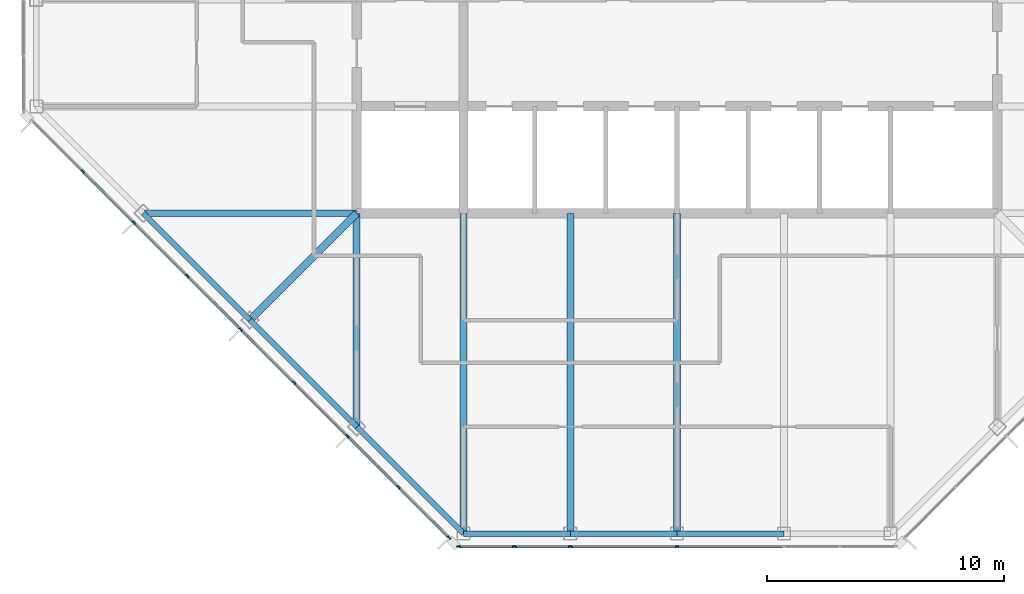
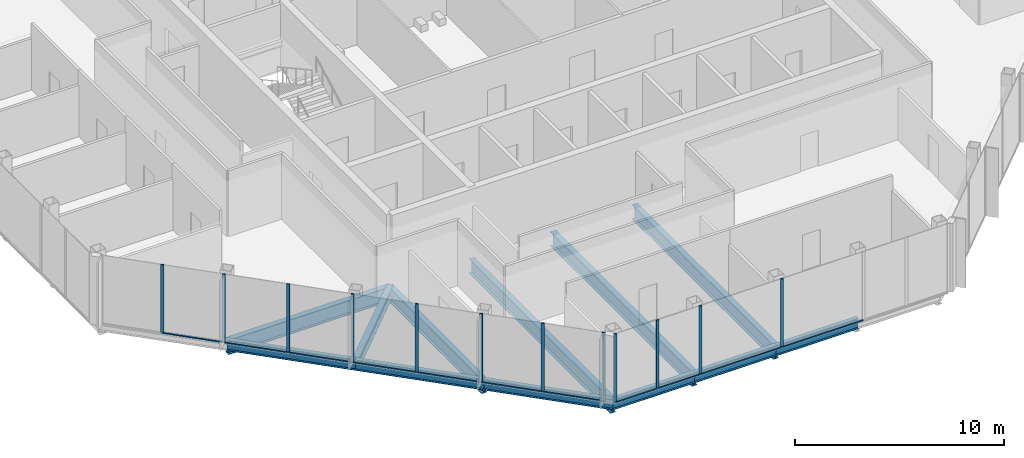
# One storey, part 2 of 14: 23 members, 12 beams, 2 elements without a shape of their own.
"""IFC4 building model written with IfcOpenShell, lengths in metres."""

from ifc_helpers import new_model, si_unit, direction, frame, origin, origin_2d, place, context, subcontext, project, spatial, rectangle, i_section, extrude, material, material_profile, profile_set, type_object, element, aggregate, save


model = new_model("IFC4")

# Units and contexts
model_context = context("Model", 3, precision=1e-05, world=origin(), true_north=direction((0.0, 1.0)))
body_context = subcontext(model_context, "Body", "Model", "MODEL_VIEW")
ifc_project = project(units=[si_unit("LENGTHUNIT", "METRE"), si_unit("AREAUNIT", "SQUARE_METRE"), si_unit("VOLUMEUNIT", "CUBIC_METRE"), si_unit("PLANEANGLEUNIT", "RADIAN"), si_unit("MASSUNIT", "GRAM", prefix="KILO")], contexts=[model_context])

# Site, building, storey
site_placement = place(None, origin())
site = spatial("IfcSite", under=ifc_project, at=site_placement, CompositionType="ELEMENT")
building_placement = place(site_placement, origin())
building = spatial("IfcBuilding", under=site, at=building_placement, Name="Corais Broadcast Tower", CompositionType="ELEMENT")
storey_placement = place(building_placement, frame((0.0, 0.0, 294.60009765625)))
storey = spatial("IfcBuildingStorey", under=building, at=storey_placement, Name="L69", CompositionType="ELEMENT", Elevation=294.60009765625)

# Beams
ifc_material_1 = material(Name="Steel ASTM A572 Grade 50", Category="steel")
ifc_material_profile_1 = material_profile(ifc_material_1, i_section(OverallWidth=0.323974609375, OverallDepth=0.611083984375, WebThickness=0.0126953125, FlangeThickness=0.01904296875, at=origin_2d()), Name="W610x155")
ifc_profile_set_1 = profile_set([ifc_material_profile_1], Name="Steel ASTM A572 Grade 50")
beam_type_1 = type_object("IfcBeamType", Name="Corner diagonal W610x155", PredefinedType="BEAM", material=ifc_profile_set_1)
beam_1_placement = place(storey_placement, frame((9.0, 9.0, -0.465576171875), z_axis=(0.707106781187, 0.707106781187, 0.0), x_axis=(-0.707106781187, 0.707106781187, 0.0)))
element("IfcBeam", 1, at=beam_1_placement, inside=storey, type_object=beam_type_1, Name="B6 C/5 to D/6", PredefinedType="BEAM", context=body_context, shape_type="SweptSolid", body=[
    extrude(i_section(OverallWidth=0.323974609375, OverallDepth=0.611083984375, WebThickness=0.0126953125, FlangeThickness=0.01904296875, at=origin_2d()), origin(), (0.0, 0.0, 1.0), 6.364013671875),
])
ifc_material_2 = material(Name="Steel ASTM A572 Grade 50", Category="steel")
ifc_material_profile_2 = material_profile(ifc_material_2, i_section(OverallWidth=0.2939453125, OverallDepth=0.85107421875, WebThickness=0.01611328125, FlangeThickness=0.02685546875, at=origin_2d()), Name="W840x226")
ifc_profile_set_2 = profile_set([ifc_material_profile_2], Name="Steel ASTM A572 Grade 50")
beam_type_2 = type_object("IfcBeamType", Name="Floor beam W840x226", PredefinedType="BEAM", material=ifc_profile_set_2)
beam_2_placement = place(storey_placement, frame((13.5, 4.5, -0.585693359375), z_axis=(0.0, 1.0, 0.0), x_axis=(-1.0, 0.0, 0.0)))
element("IfcBeam", 2, at=beam_2_placement, inside=storey, type_object=beam_type_2, Name="B1 B/6 to D/6", PredefinedType="BEAM", context=body_context, shape_type="SweptSolid", body=[
    extrude(i_section(OverallWidth=0.2939453125, OverallDepth=0.85107421875, WebThickness=0.01611328125, FlangeThickness=0.02685546875, at=origin_2d()), origin(), (0.0, 0.0, 1.0), 9.0),
])
for number, where, z_axis, x_axis, name in (
    (3, (18.0, 0.0, -0.585693359375), (0.0, 1.0, 0.0), (-1.0, 0.0, 0.0), "B1 A/7 to D/7"),
    (4, (22.5, 0.0, -0.585693359375), (0.0, 1.0, 0.0), (-1.0, 0.0, 0.0), "B1 A/8 to D/8"),
    (5, (27.0, 0.0, -0.585693359375), (0.0, 1.0, 0.0), (-1.0, 0.0, 0.0), "B1 A/9 to D/9"),
):
    element("IfcBeam", number, at=place(storey_placement, frame(where, z_axis=z_axis, x_axis=x_axis)), inside=storey, type_object=beam_type_2, Name=name, PredefinedType="BEAM", context=body_context, shape_type="SweptSolid", body=[
        extrude(i_section(OverallWidth=0.2939453125, OverallDepth=0.85107421875, WebThickness=0.01611328125, FlangeThickness=0.02685546875, at=origin_2d()), origin(), (0.0, 0.0, 1.0), 13.5),
    ])
beam_3_placement = place(storey_placement, frame((4.5, 13.5, -0.585693359375), z_axis=(1.0, 0.0, 0.0), x_axis=(0.0, 1.0, 0.0)))
element("IfcBeam", 6, at=beam_3_placement, inside=storey, type_object=beam_type_2, Name="B1 D/4 to D/6", PredefinedType="BEAM", context=body_context, shape_type="SweptSolid", body=[
    extrude(i_section(OverallWidth=0.2939453125, OverallDepth=0.85107421875, WebThickness=0.01611328125, FlangeThickness=0.02685546875, at=origin_2d()), origin(), (0.0, 0.0, 1.0), 9.0),
])

# Curtain wall, members
ifc_material_3 = material(Name="Aluminium and glass", Category="aluminium")
curtain_wall_type = type_object("IfcCurtainWallType", Name="Unitised fritted curtain wall CW3", PredefinedType="NOTDEFINED", material=ifc_material_3)
curtain_wall_1_placement = place(storey_placement, origin())
curtain_wall_1 = element("IfcCurtainWall", 7, at=curtain_wall_1_placement, inside=storey, type_object=curtain_wall_type, Name="CW3 curtain wall L69 1", PredefinedType="NOTDEFINED")
ifc_material_4 = material(Name="Aluminium 6063-T6", Category="aluminium")
ifc_material_profile_3 = material_profile(ifc_material_4, rectangle(XDim=0.06494140625, YDim=0.159912109375, at=origin_2d()), Name="Mullion CW3 65x160")
ifc_profile_set_3 = profile_set([ifc_material_profile_3], Name="Aluminium 6063-T6")
member_type_1 = type_object("IfcMemberType", Name="Mullion CW3 65x160", PredefinedType="MULLION", material=ifc_profile_set_3)
member_1_placement = place(storey_placement, frame((17.3955078125, -0.17333984375, 0.0), z_axis=(0.0, 0.0, 1.0), x_axis=(-0.707106781187, -0.707106781187, 0.0)))
member_1 = element("IfcMember", 8, at=member_1_placement, type_object=member_type_1, Name="CW3 mullion 1", PredefinedType="MULLION", context=body_context, shape_type="SweptSolid", body=[
    extrude(rectangle(XDim=0.06494140625, YDim=0.159912109375, at=origin_2d()), origin(), (0.0, 0.0, 1.0), 4.0),
])
member_2_placement = place(storey_placement, frame((15.264892578125, 1.957275390625, 0.0), z_axis=(0.0, 0.0, 1.0), x_axis=(-0.707106781187, -0.707106781187, 0.0)))
member_2 = element("IfcMember", 9, at=member_2_placement, type_object=member_type_1, Name="CW3 mullion 2", PredefinedType="MULLION", context=body_context, shape_type="SweptSolid", body=[
    extrude(rectangle(XDim=0.06494140625, YDim=0.159912109375, at=origin_2d()), origin(), (0.0, 0.0, 1.0), 4.0),
])
member_3_placement = place(storey_placement, frame((13.111083984375, 4.111083984375, 0.0), z_axis=(0.0, 0.0, 1.0), x_axis=(-0.707106781187, -0.707106781187, 0.0)))
member_3 = element("IfcMember", 10, at=member_3_placement, type_object=member_type_1, Name="CW3 mullion 3", PredefinedType="MULLION", context=body_context, shape_type="SweptSolid", body=[
    extrude(rectangle(XDim=0.06494140625, YDim=0.159912109375, at=origin_2d()), origin(), (0.0, 0.0, 1.0), 4.0),
])
member_4_placement = place(storey_placement, frame((10.861083984375, 6.361083984375, 0.0), z_axis=(0.0, 0.0, 1.0), x_axis=(-0.707106781187, -0.707106781187, 0.0)))
member_4 = element("IfcMember", 11, at=member_4_placement, type_object=member_type_1, Name="CW3 mullion 4", PredefinedType="MULLION", context=body_context, shape_type="SweptSolid", body=[
    extrude(rectangle(XDim=0.06494140625, YDim=0.159912109375, at=origin_2d()), origin(), (0.0, 0.0, 1.0), 4.0),
])
member_5_placement = place(storey_placement, frame((8.611083984375, 8.611083984375, 0.0), z_axis=(0.0, 0.0, 1.0), x_axis=(-0.707106781187, -0.707106781187, 0.0)))
member_5 = element("IfcMember", 12, at=member_5_placement, type_object=member_type_1, Name="CW3 mullion 5", PredefinedType="MULLION", context=body_context, shape_type="SweptSolid", body=[
    extrude(rectangle(XDim=0.06494140625, YDim=0.159912109375, at=origin_2d()), origin(), (0.0, 0.0, 1.0), 4.0),
])
member_6_placement = place(storey_placement, frame((6.361083984375, 10.861083984375, 0.0), z_axis=(0.0, 0.0, 1.0), x_axis=(-0.707106781187, -0.707106781187, 0.0)))
member_6 = element("IfcMember", 13, at=member_6_placement, type_object=member_type_1, Name="CW3 mullion 6", PredefinedType="MULLION", context=body_context, shape_type="SweptSolid", body=[
    extrude(rectangle(XDim=0.06494140625, YDim=0.159912109375, at=origin_2d()), origin(), (0.0, 0.0, 1.0), 4.0),
])
member_7_placement = place(storey_placement, frame((4.111083984375, 13.111083984375, 0.0), z_axis=(0.0, 0.0, 1.0), x_axis=(-0.707106781187, -0.707106781187, 0.0)))
member_7 = element("IfcMember", 14, at=member_7_placement, type_object=member_type_1, Name="CW3 mullion 7", PredefinedType="MULLION", context=body_context, shape_type="SweptSolid", body=[
    extrude(rectangle(XDim=0.06494140625, YDim=0.159912109375, at=origin_2d()), origin(), (0.0, 0.0, 1.0), 4.0),
])
member_8_placement = place(storey_placement, frame((1.957275390625, 15.264892578125, 0.0), z_axis=(0.0, 0.0, 1.0), x_axis=(-0.707106781187, -0.707106781187, 0.0)))
member_8 = element("IfcMember", 15, at=member_8_placement, type_object=member_type_1, Name="CW3 mullion 8", PredefinedType="MULLION", context=body_context, shape_type="SweptSolid", body=[
    extrude(rectangle(XDim=0.06494140625, YDim=0.159912109375, at=origin_2d()), origin(), (0.0, 0.0, 1.0), 4.0),
])

curtain_wall_2_placement = place(storey_placement, origin())
curtain_wall_2 = element("IfcCurtainWall", 16, at=curtain_wall_2_placement, inside=storey, type_object=curtain_wall_type, Name="CW3 curtain wall L69 8", PredefinedType="NOTDEFINED")
member_9_placement = place(storey_placement, frame((27.0, -0.550048828125, 0.0), z_axis=(0.0, 0.0, 1.0), x_axis=(0.0, -1.0, 0.0)))
member_9 = element("IfcMember", 17, at=member_9_placement, type_object=member_type_1, Name="CW3 mullion 4", PredefinedType="MULLION", context=body_context, shape_type="SweptSolid", body=[
    extrude(rectangle(XDim=0.06494140625, YDim=0.159912109375, at=origin_2d()), origin(), (0.0, 0.0, 1.0), 4.0),
])
member_10_placement = place(storey_placement, frame((22.5, -0.550048828125, 0.0), z_axis=(0.0, 0.0, 1.0), x_axis=(0.0, -1.0, 0.0)))
member_10 = element("IfcMember", 18, at=member_10_placement, type_object=member_type_1, Name="CW3 mullion 5", PredefinedType="MULLION", context=body_context, shape_type="SweptSolid", body=[
    extrude(rectangle(XDim=0.06494140625, YDim=0.159912109375, at=origin_2d()), origin(), (0.0, 0.0, 1.0), 4.0),
])
member_11_placement = place(storey_placement, frame((20.135986328125, -0.550048828125, 0.0), z_axis=(0.0, 0.0, 1.0), x_axis=(0.0, -1.0, 0.0)))
member_11 = element("IfcMember", 19, at=member_11_placement, type_object=member_type_1, Name="CW3 mullion 6", PredefinedType="MULLION", context=body_context, shape_type="SweptSolid", body=[
    extrude(rectangle(XDim=0.06494140625, YDim=0.159912109375, at=origin_2d()), origin(), (0.0, 0.0, 1.0), 4.0),
])
member_12_placement = place(storey_placement, frame((17.8046875, -0.550048828125, 0.0), z_axis=(0.0, 0.0, 1.0), x_axis=(0.0, -1.0, 0.0)))
member_12 = element("IfcMember", 20, at=member_12_placement, type_object=member_type_1, Name="CW3 mullion 7", PredefinedType="MULLION", context=body_context, shape_type="SweptSolid", body=[
    extrude(rectangle(XDim=0.06494140625, YDim=0.159912109375, at=origin_2d()), origin(), (0.0, 0.0, 1.0), 4.0),
])

# Beams
ifc_material_5 = material(Name="Steel ASTM A572 Grade 50", Category="steel")
ifc_material_profile_4 = material_profile(ifc_material_5, i_section(OverallWidth=0.22998046875, OverallDepth=0.616943359375, WebThickness=0.01318359375, FlangeThickness=0.022216796875, at=origin_2d()), Name="W610x140")
ifc_profile_set_4 = profile_set([ifc_material_profile_4], Name="Steel ASTM A572 Grade 50")
beam_type_3 = type_object("IfcBeamType", Name="Spandrel W610x140", PredefinedType="BEAM", material=ifc_profile_set_4)
beam_4_placement = place(storey_placement, frame((13.5, 4.5, -0.468505859375), z_axis=(0.707106781187, -0.707106781187, 0.0), x_axis=(0.707106781187, 0.707106781187, 0.0)))
element("IfcBeam", 21, at=beam_4_placement, inside=storey, type_object=beam_type_3, Name="SB3 B/6 to A/7", PredefinedType="BEAM", context=body_context, shape_type="SweptSolid", body=[
    extrude(i_section(OverallWidth=0.22998046875, OverallDepth=0.616943359375, WebThickness=0.01318359375, FlangeThickness=0.022216796875, at=origin_2d()), origin(), (0.0, 0.0, 1.0), 6.364013671875),
])
for number, where, z_axis, x_axis, name in (
    (22, (18.0, 0.0, -0.468505859375), (1.0, 0.0, 0.0), (0.0, 1.0, 0.0), "SB3 A/7 to A/8"),
    (23, (22.5, 0.0, -0.468505859375), (1.0, 0.0, 0.0), (0.0, 1.0, 0.0), "SB3 A/8 to A/9"),
    (24, (27.0, 0.0, -0.468505859375), (1.0, 0.0, 0.0), (0.0, 1.0, 0.0), "SB3 A/9 to A/10"),
):
    element("IfcBeam", number, at=place(storey_placement, frame(where, z_axis=z_axis, x_axis=x_axis)), inside=storey, type_object=beam_type_3, Name=name, PredefinedType="BEAM", context=body_context, shape_type="SweptSolid", body=[
        extrude(i_section(OverallWidth=0.22998046875, OverallDepth=0.616943359375, WebThickness=0.01318359375, FlangeThickness=0.022216796875, at=origin_2d()), origin(), (0.0, 0.0, 1.0), 4.5),
    ])
for number, where, z_axis, x_axis, name in (
    (25, (4.5, 13.5, -0.468505859375), (0.707106781187, -0.707106781187, 0.0), (0.707106781187, 0.707106781187, 0.0), "SB3 D/4 to C/5"),
    (26, (9.0, 9.0, -0.468505859375), (0.707106781187, -0.707106781187, 0.0), (0.707106781187, 0.707106781187, 0.0), "SB3 C/5 to B/6"),
):
    element("IfcBeam", number, at=place(storey_placement, frame(where, z_axis=z_axis, x_axis=x_axis)), inside=storey, type_object=beam_type_3, Name=name, PredefinedType="BEAM", context=body_context, shape_type="SweptSolid", body=[
        extrude(i_section(OverallWidth=0.22998046875, OverallDepth=0.616943359375, WebThickness=0.01318359375, FlangeThickness=0.022216796875, at=origin_2d()), origin(), (0.0, 0.0, 1.0), 6.364013671875),
    ])

# Member
ifc_material_6 = material(Name="Aluminium 6063-T6", Category="aluminium")
ifc_material_profile_5 = material_profile(ifc_material_6, rectangle(XDim=0.1201171875, YDim=0.06494140625, at=origin_2d()), Name="Transom CW3 65x120")
ifc_profile_set_5 = profile_set([ifc_material_profile_5], Name="Aluminium 6063-T6")
member_type_2 = type_object("IfcMemberType", Name="Transom CW3 65x120", PredefinedType="USERDEFINED", material=ifc_profile_set_5)
member_13_placement = place(storey_placement, frame((17.37255859375, -0.150390625, 0.032470703125), z_axis=(-0.707106781187, 0.707106781187, 0.0), x_axis=(-0.707106781187, -0.707106781187, 0.0)))
member_13 = element("IfcMember", 27, at=member_13_placement, type_object=member_type_2, Name="CW3 transom 1.1", ObjectType="TRANSOM", PredefinedType="USERDEFINED", context=body_context, shape_type="SweptSolid", body=[
    extrude(rectangle(XDim=0.1201171875, YDim=0.06494140625, at=origin_2d()), origin(), (0.0, 0.0, 1.0), 2.9482421875),
])

member_14_placement = place(storey_placement, frame((15.241943359375, 1.980224609375, 0.032470703125), z_axis=(-0.707106781187, 0.707106781187, 0.0), x_axis=(-0.707106781187, -0.707106781187, 0.0)))
member_14 = element("IfcMember", 28, at=member_14_placement, type_object=member_type_2, Name="CW3 transom 2.1", ObjectType="TRANSOM", PredefinedType="USERDEFINED", context=body_context, shape_type="SweptSolid", body=[
    extrude(rectangle(XDim=0.1201171875, YDim=0.06494140625, at=origin_2d()), origin(), (0.0, 0.0, 1.0), 2.98095703125),
])

member_15_placement = place(storey_placement, frame((13.088134765625, 4.134033203125, 0.032470703125), z_axis=(-0.707106781187, 0.707106781187, 0.0), x_axis=(-0.707106781187, -0.707106781187, 0.0)))
member_15 = element("IfcMember", 29, at=member_15_placement, type_object=member_type_2, Name="CW3 transom 3.1", ObjectType="TRANSOM", PredefinedType="USERDEFINED", context=body_context, shape_type="SweptSolid", body=[
    extrude(rectangle(XDim=0.1201171875, YDim=0.06494140625, at=origin_2d()), origin(), (0.0, 0.0, 1.0), 3.1171875),
])

member_16_placement = place(storey_placement, frame((10.838134765625, 6.384033203125, 0.032470703125), z_axis=(-0.707106781187, 0.707106781187, 0.0), x_axis=(-0.707106781187, -0.707106781187, 0.0)))
member_16 = element("IfcMember", 30, at=member_16_placement, type_object=member_type_2, Name="CW3 transom 4.1", ObjectType="TRANSOM", PredefinedType="USERDEFINED", context=body_context, shape_type="SweptSolid", body=[
    extrude(rectangle(XDim=0.1201171875, YDim=0.06494140625, at=origin_2d()), origin(), (0.0, 0.0, 1.0), 3.1171875),
])

member_17_placement = place(storey_placement, frame((8.588134765625, 8.634033203125, 0.032470703125), z_axis=(-0.707106781187, 0.707106781187, 0.0), x_axis=(-0.707106781187, -0.707106781187, 0.0)))
member_17 = element("IfcMember", 31, at=member_17_placement, type_object=member_type_2, Name="CW3 transom 5.1", ObjectType="TRANSOM", PredefinedType="USERDEFINED", context=body_context, shape_type="SweptSolid", body=[
    extrude(rectangle(XDim=0.1201171875, YDim=0.06494140625, at=origin_2d()), origin(), (0.0, 0.0, 1.0), 3.1171875),
])

member_18_placement = place(storey_placement, frame((6.338134765625, 10.884033203125, 0.032470703125), z_axis=(-0.707106781187, 0.707106781187, 0.0), x_axis=(-0.707106781187, -0.707106781187, 0.0)))
member_18 = element("IfcMember", 32, at=member_18_placement, type_object=member_type_2, Name="CW3 transom 6.1", ObjectType="TRANSOM", PredefinedType="USERDEFINED", context=body_context, shape_type="SweptSolid", body=[
    extrude(rectangle(XDim=0.1201171875, YDim=0.06494140625, at=origin_2d()), origin(), (0.0, 0.0, 1.0), 3.1171875),
])

member_19_placement = place(storey_placement, frame((4.088134765625, 13.134033203125, 0.032470703125), z_axis=(-0.707065828661, 0.70714773134, 0.0), x_axis=(-0.70714773134, -0.707065828661, 0.0)))
member_19 = element("IfcMember", 33, at=member_19_placement, type_object=member_type_2, Name="CW3 transom 7.1", ObjectType="TRANSOM", PredefinedType="USERDEFINED", context=body_context, shape_type="SweptSolid", body=[
    extrude(rectangle(XDim=0.1201171875, YDim=0.06494140625, at=origin_2d()), origin(), (0.0, 0.0, 1.0), 2.98095703125),
])

aggregate(curtain_wall_1, [member_1, member_2, member_3, member_4, member_5, member_6, member_7, member_8, member_13, member_14, member_15, member_16, member_17, member_18, member_19])

member_20_placement = place(storey_placement, frame((31.467529296875, -0.550048828125, 0.032470703125), z_axis=(-1.0, 0.0, 0.0), x_axis=(0.0, -1.0, 0.0)))
member_20 = element("IfcMember", 34, at=member_20_placement, type_object=member_type_2, Name="CW3 transom 3.1", ObjectType="TRANSOM", PredefinedType="USERDEFINED", context=body_context, shape_type="SweptSolid", body=[
    extrude(rectangle(XDim=0.1201171875, YDim=0.06494140625, at=origin_2d()), origin(), (0.0, 0.0, 1.0), 4.43505859375),
])

member_21_placement = place(storey_placement, frame((26.967529296875, -0.550048828125, 0.032470703125), z_axis=(-1.0, 0.0, 0.0), x_axis=(0.0, -1.0, 0.0)))
member_21 = element("IfcMember", 35, at=member_21_placement, type_object=member_type_2, Name="CW3 transom 4.1", ObjectType="TRANSOM", PredefinedType="USERDEFINED", context=body_context, shape_type="SweptSolid", body=[
    extrude(rectangle(XDim=0.1201171875, YDim=0.06494140625, at=origin_2d()), origin(), (0.0, 0.0, 1.0), 4.43505859375),
])

member_22_placement = place(storey_placement, frame((22.467529296875, -0.550048828125, 0.032470703125), z_axis=(-1.0, 0.0, 0.0), x_axis=(0.0, -1.0, 0.0)))
member_22 = element("IfcMember", 36, at=member_22_placement, type_object=member_type_2, Name="CW3 transom 5.1", ObjectType="TRANSOM", PredefinedType="USERDEFINED", context=body_context, shape_type="SweptSolid", body=[
    extrude(rectangle(XDim=0.1201171875, YDim=0.06494140625, at=origin_2d()), origin(), (0.0, 0.0, 1.0), 2.298828125),
])

member_23_placement = place(storey_placement, frame((20.103515625, -0.550048828125, 0.032470703125), z_axis=(-1.0, 0.0, 0.0), x_axis=(0.0, -1.0, 0.0)))
member_23 = element("IfcMember", 37, at=member_23_placement, type_object=member_type_2, Name="CW3 transom 6.1", ObjectType="TRANSOM", PredefinedType="USERDEFINED", context=body_context, shape_type="SweptSolid", body=[
    extrude(rectangle(XDim=0.1201171875, YDim=0.06494140625, at=origin_2d()), origin(), (0.0, 0.0, 1.0), 2.266357421875),
])

aggregate(curtain_wall_2, [member_9, member_10, member_11, member_12, member_20, member_21, member_22, member_23])

save(model, "model.ifc")
